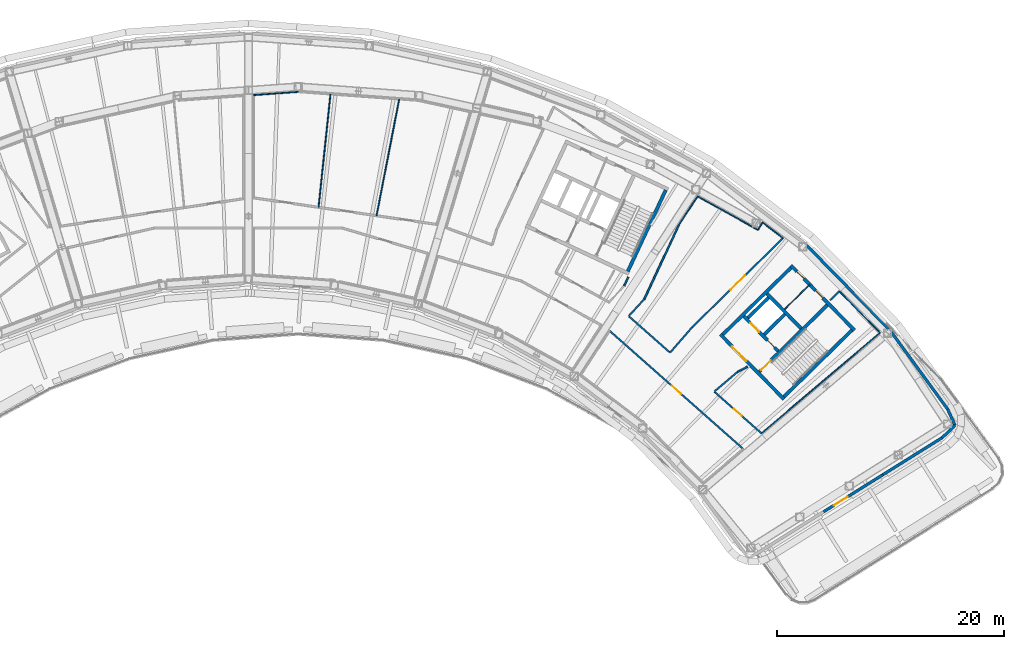
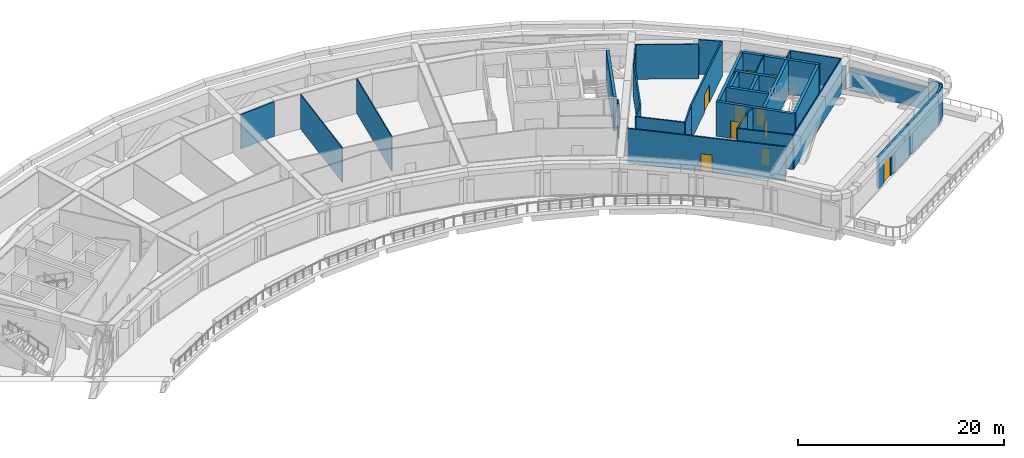
# One storey, part 11 of 26: 37 walls, 10 doors, 10 openings.
"""IFC4 building model written with IfcOpenShell, lengths in metres."""

from ifc_helpers import new_model, si_unit, direction, frame, frame_2d, origin, place, context, subcontext, project, spatial, rectangle, extrude, material, layer, layer_set, type_object, element, fill, save


model = new_model("IFC4")

# Units and contexts
model_context = context("Model", 3, precision=1e-05, world=origin(), true_north=direction((0.0, 1.0)))
body_context = subcontext(model_context, "Body", "Model", "MODEL_VIEW")
ifc_project = project(units=[si_unit("LENGTHUNIT", "METRE"), si_unit("AREAUNIT", "SQUARE_METRE"), si_unit("VOLUMEUNIT", "CUBIC_METRE"), si_unit("PLANEANGLEUNIT", "RADIAN"), si_unit("MASSUNIT", "GRAM", prefix="KILO")], contexts=[model_context])

# Site, building, storey
site_placement = place(None, origin())
site = spatial("IfcSite", under=ifc_project, at=site_placement, CompositionType="ELEMENT")
building_placement = place(site_placement, origin())
building = spatial("IfcBuilding", under=site, at=building_placement, Name="Tuul Gate Civic Tower", CompositionType="ELEMENT")
storey_placement = place(building_placement, frame((0.0, 0.0, 167.60009765625)))
storey = spatial("IfcBuildingStorey", under=building, at=storey_placement, Name="Plant and refuge floor 5", CompositionType="ELEMENT", Elevation=167.60009765625)

# Wall, opening, door
ifc_material_1 = material(Name="Concrete C50/60", Category="concrete")
ifc_layer_1 = layer(ifc_material_1, 0.300048828125)
ifc_layer_set_1 = layer_set([ifc_layer_1], Name="Concrete C50/60")
wall_type_1 = type_object("IfcWallType", Name="Core wall C50/60", PredefinedType="SHEAR", material=ifc_layer_set_1)
wall_1_placement = place(storey_placement, frame((48.22509765625, -18.327880859375, 0.0), z_axis=(0.0, 0.0, 1.0), x_axis=(-0.700021979774, 0.714121297703, 0.0)))
wall_1 = element("IfcWall", 1, at=wall_1_placement, inside=storey, type_object=wall_type_1, Name="Core wall", PredefinedType="SHEAR", context=body_context, shape_type="SweptSolid", body=[
    extrude(rectangle(XDim=8.0, YDim=0.300048828125, at=frame_2d((4.0, 0.0))), origin(), (0.0, 0.0, 1.0), 4.099853515625),
])
opening_1_placement = place(wall_1_placement, frame((4.72509765625, 0.0, 0.0)))
opening_1 = element("IfcOpeningElement", 2, at=opening_1_placement, cuts=wall_1, Name="Opening LB-E1-LOBBY-1", PredefinedType="OPENING", context=body_context, shape_type="SweptSolid", body=[
    extrude(rectangle(XDim=1.800048828125, YDim=2.10009765625, at=frame_2d((0.89990234375, 1.050048828125))), frame((0.0, 0.16015625, 0.0), z_axis=(0.0, -1.0, 0.0), x_axis=(1.0, 0.0, 0.0)), (0.0, 0.0, 1.0), 0.320068359375),
])
ifc_material_2 = material(Name="Steel", Category="steel")
door_type_1 = type_object("IfcDoorType", Name="Lobby door", OperationType="DOUBLE_DOOR_SINGLE_SWING", PredefinedType="DOOR", material=ifc_material_2)
door_1_placement = place(opening_1_placement, frame((1.800048828125, 0.0, 0.0), z_axis=(0.0, 0.0, 1.0), x_axis=(-1.0, 0.0, 0.0)))
door_1 = element("IfcDoor", 3, at=door_1_placement, inside=storey, type_object=door_type_1, Name="Lobby door E1-LOBBY", OperationType="DOUBLE_DOOR_SINGLE_SWING", OverallHeight=2.10009765625, OverallWidth=1.800048828125, PredefinedType="DOOR", context=body_context, shape_type="SweptSolid", body=[
    extrude(rectangle(XDim=1.800048828125, YDim=2.10009765625, at=frame_2d((0.900146484375, 1.050048828125))), frame((0.0, 0.02490234375, 0.0), z_axis=(0.0, -1.0, 0.0), x_axis=(1.0, 0.0, 0.0)), (0.0, 0.0, 1.0), 0.050048828125),
])
fill(opening_1, door_1)

# Wall, openings, doors
wall_2_placement = place(storey_placement, frame((47.701904296875, -14.079833984375, 0.0), z_axis=(0.0, 0.0, 1.0), x_axis=(-0.700002721075, 0.714140175657, 0.0)))
wall_2 = element("IfcWall", 4, at=wall_2_placement, inside=storey, type_object=wall_type_1, Name="Core wall", PredefinedType="SHEAR", context=body_context, shape_type="SweptSolid", body=[
    extrude(rectangle(XDim=4.300048828125, YDim=0.300048828125, at=frame_2d((2.14990234375, 0.0))), origin(), (0.0, 0.0, 1.0), 4.099853515625),
])
opening_2_placement = place(wall_2_placement, frame((0.425048828125, 0.0, 0.0)))
opening_2 = element("IfcOpeningElement", 5, at=opening_2_placement, cuts=wall_2, Name="Opening FB-E1A1", PredefinedType="OPENING", context=body_context, shape_type="SweptSolid", body=[
    extrude(rectangle(XDim=0.89990234375, YDim=2.10009765625, at=frame_2d((0.449951171875, 1.050048828125))), frame((0.0, 0.16015625, 0.0), z_axis=(0.0, -1.0, 0.0), x_axis=(1.0, 0.0, 0.0)), (0.0, 0.0, 1.0), 0.320068359375),
])
opening_3_placement = place(wall_2_placement, frame((2.375, 0.0, 0.0)))
opening_3 = element("IfcOpeningElement", 6, at=opening_3_placement, cuts=wall_2, Name="Opening LD-M3", PredefinedType="OPENING", context=body_context, shape_type="SweptSolid", body=[
    extrude(rectangle(XDim=1.10009765625, YDim=2.10009765625, at=frame_2d((0.550048828125, 1.050048828125))), frame((0.0, 0.16015625, 0.0), z_axis=(0.0, -1.0, 0.0), x_axis=(1.0, 0.0, 0.0)), (0.0, 0.0, 1.0), 0.320068359375),
])
ifc_material_3 = material(Name="Stainless steel", Category="steel")
door_type_2 = type_object("IfcDoorType", Name="Landing door", OperationType="DOUBLE_DOOR_SLIDING", PredefinedType="DOOR", material=ifc_material_3)
door_2_placement = place(opening_3_placement, origin())
door_2 = element("IfcDoor", 7, at=door_2_placement, inside=storey, type_object=door_type_2, Name="Mid-rise lift M3 landing door", OperationType="DOUBLE_DOOR_SLIDING", OverallHeight=2.10009765625, OverallWidth=1.10009765625, PredefinedType="DOOR", context=body_context, shape_type="SweptSolid", body=[
    extrude(rectangle(XDim=1.10009765625, YDim=2.10009765625, at=frame_2d((0.550048828125, 1.050048828125))), frame((0.0, 0.02490234375, 0.0), z_axis=(0.0, -1.0, 0.0), x_axis=(1.0, 0.0, 0.0)), (0.0, 0.0, 1.0), 0.050048828125),
])
fill(opening_3, door_2)
ifc_material_4 = material(Name="Steel", Category="steel")
door_type_3 = type_object("IfcDoorType", Name="Store door", OperationType="NOTDEFINED", PredefinedType="DOOR", material=ifc_material_4)
door_3_placement = place(opening_2_placement, frame((0.89990234375, 0.0, 0.0), z_axis=(0.0, 0.0, 1.0), x_axis=(-1.0, 0.0, 0.0)))
door_3 = element("IfcDoor", 8, at=door_3_placement, inside=storey, type_object=door_type_3, Name="Store door E1A1", OperationType="SINGLE_SWING_RIGHT", OverallHeight=2.10009765625, OverallWidth=0.89990234375, PredefinedType="DOOR", context=body_context, shape_type="SweptSolid", body=[
    extrude(rectangle(XDim=0.89990234375, YDim=2.10009765625, at=frame_2d((0.449951171875, 1.050048828125))), frame((0.0, 0.02490234375, 0.0), z_axis=(0.0, -1.0, 0.0), x_axis=(1.0, 0.0, 0.0)), (0.0, 0.0, 1.0), 0.050048828125),
])
fill(opening_2, door_3)

# Wall
wall_3_placement = place(storey_placement, frame((49.737060546875, -12.0849609375, 0.0), z_axis=(0.0, 0.0, 1.0), x_axis=(-0.700002721075, 0.714140175657, 0.0)))
element("IfcWall", 9, at=wall_3_placement, inside=storey, type_object=wall_type_1, Name="Core wall", PredefinedType="SHEAR", context=body_context, shape_type="SweptSolid", body=[
    extrude(rectangle(XDim=4.300048828125, YDim=0.300048828125, at=frame_2d((2.14990234375, 0.0))), origin(), (0.0, 0.0, 1.0), 4.099853515625),
])

# Wall, openings, doors
wall_4_placement = place(storey_placement, frame((54.43798828125, -12.23779296875, 0.0), z_axis=(0.0, 0.0, 1.0), x_axis=(-0.700021979774, 0.714121297703, 0.0)))
wall_4 = element("IfcWall", 10, at=wall_4_placement, inside=storey, type_object=wall_type_1, Name="Core wall", PredefinedType="SHEAR", context=body_context, shape_type="SweptSolid", body=[
    extrude(rectangle(XDim=8.0, YDim=0.300048828125, at=frame_2d((4.0, 0.0))), origin(), (0.0, 0.0, 1.0), 4.099853515625),
])
opening_4_placement = place(wall_4_placement, frame((3.987548828125, 0.0, 0.0)))
opening_4 = element("IfcOpeningElement", 11, at=opening_4_placement, cuts=wall_4, Name="Opening PB-D29", PredefinedType="OPENING", context=body_context, shape_type="SweptSolid", body=[
    extrude(rectangle(XDim=0.89990234375, YDim=2.10009765625, at=frame_2d((0.449951171875, 1.050048828125))), frame((0.0, 0.16015625, 0.0), z_axis=(0.0, -1.0, 0.0), x_axis=(1.0, 0.0, 0.0)), (0.0, 0.0, 1.0), 0.320068359375),
])
opening_5_placement = place(wall_4_placement, frame((6.362548828125, 0.0, 0.0)))
opening_5 = element("IfcOpeningElement", 12, at=opening_5_placement, cuts=wall_4, Name="Opening PB-D30", PredefinedType="OPENING", context=body_context, shape_type="SweptSolid", body=[
    extrude(rectangle(XDim=0.89990234375, YDim=2.10009765625, at=frame_2d((0.449951171875, 1.050048828125))), frame((0.0, 0.16015625, 0.0), z_axis=(0.0, -1.0, 0.0), x_axis=(1.0, 0.0, 0.0)), (0.0, 0.0, 1.0), 0.320068359375),
])
ifc_material_5 = material(Name="Timber door leaf", Category="wood")
door_type_4 = type_object("IfcDoorType", Name="Door D09", OperationType="NOTDEFINED", PredefinedType="DOOR", material=ifc_material_5)
door_4_placement = place(opening_4_placement, origin())
door_4 = element("IfcDoor", 13, at=door_4_placement, inside=storey, type_object=door_type_4, Name="Door PB-D29", OperationType="SINGLE_SWING_LEFT", OverallHeight=2.10009765625, OverallWidth=0.89990234375, PredefinedType="DOOR", context=body_context, shape_type="SweptSolid", body=[
    extrude(rectangle(XDim=0.89990234375, YDim=2.10009765625, at=frame_2d((0.449951171875, 1.050048828125))), frame((0.0, 0.02490234375, 0.0), z_axis=(0.0, -1.0, 0.0), x_axis=(1.0, 0.0, 0.0)), (0.0, 0.0, 1.0), 0.050048828125),
])
fill(opening_4, door_4)
door_5_placement = place(opening_5_placement, origin())
door_5 = element("IfcDoor", 14, at=door_5_placement, inside=storey, type_object=door_type_4, Name="Door PB-D30", OperationType="SINGLE_SWING_LEFT", OverallHeight=2.10009765625, OverallWidth=0.89990234375, PredefinedType="DOOR", context=body_context, shape_type="SweptSolid", body=[
    extrude(rectangle(XDim=0.89990234375, YDim=2.10009765625, at=frame_2d((0.449951171875, 1.050048828125))), frame((0.0, 0.02490234375, 0.0), z_axis=(0.0, -1.0, 0.0), x_axis=(1.0, 0.0, 0.0)), (0.0, 0.0, 1.0), 0.050048828125),
])
fill(opening_5, door_5)

# Wall
wall_5_placement = place(storey_placement, frame((48.227294921875, -18.115966796875, 0.0), z_axis=(0.0, 0.0, 1.0), x_axis=(0.714105315431, 0.700038283577, 0.0)))
element("IfcWall", 15, at=wall_5_placement, inside=storey, type_object=wall_type_1, Name="Core wall", PredefinedType="SHEAR", context=body_context, shape_type="SweptSolid", body=[
    extrude(rectangle(XDim=8.400146484375, YDim=0.300048828125, at=frame_2d((4.2001953125, 0.0))), origin(), (0.0, 0.0, 1.0), 4.099853515625),
])

# Wall, opening, door
wall_6_placement = place(storey_placement, frame((46.05712890625, -15.902099609375, 0.0), z_axis=(0.0, 0.0, 1.0), x_axis=(0.714134086973, 0.700008932674, 0.0)))
wall_6 = element("IfcWall", 16, at=wall_6_placement, inside=storey, type_object=wall_type_1, Name="Core wall", PredefinedType="SHEAR", context=body_context, shape_type="SweptSolid", body=[
    extrude(rectangle(XDim=8.400146484375, YDim=0.300048828125, at=frame_2d((4.2001953125, 0.0))), origin(), (0.0, 0.0, 1.0), 4.099853515625),
])
opening_6_placement = place(wall_6_placement, frame((0.199951171875, 0.0, 0.0)))
opening_6 = element("IfcOpeningElement", 17, at=opening_6_placement, cuts=wall_6, Name="Opening SD-ST-3", PredefinedType="OPENING", context=body_context, shape_type="SweptSolid", body=[
    extrude(rectangle(XDim=1.199951171875, YDim=2.10009765625, at=frame_2d((0.60009765625, 1.050048828125))), frame((0.0, 0.16015625, 0.0), z_axis=(0.0, -1.0, 0.0), x_axis=(1.0, 0.0, 0.0)), (0.0, 0.0, 1.0), 0.320068359375),
])
ifc_material_6 = material(Name="Steel", Category="steel")
door_type_5 = type_object("IfcDoorType", Name="Stair door", OperationType="NOTDEFINED", PredefinedType="DOOR", material=ifc_material_6)
door_6_placement = place(opening_6_placement, origin())
door_6 = element("IfcDoor", 18, at=door_6_placement, inside=storey, type_object=door_type_5, Name="Stair door ST-3", OperationType="SINGLE_SWING_LEFT", OverallHeight=2.10009765625, OverallWidth=1.199951171875, PredefinedType="DOOR", context=body_context, shape_type="SweptSolid", body=[
    extrude(rectangle(XDim=1.199951171875, YDim=2.10009765625, at=frame_2d((0.60009765625, 1.050048828125))), frame((0.0, 0.02490234375, 0.0), z_axis=(0.0, -1.0, 0.0), x_axis=(1.0, 0.0, 0.0)), (0.0, 0.0, 1.0), 0.050048828125),
])
fill(opening_6, door_6)

# Walls
wall_7_placement = place(storey_placement, frame((46.47900390625, -12.617919921875, 0.0), z_axis=(0.0, 0.0, 1.0), x_axis=(0.71410944159, 0.700034074479, 0.0)))
element("IfcWall", 19, at=wall_7_placement, inside=storey, type_object=wall_type_1, Name="Core wall", PredefinedType="SHEAR", context=body_context, shape_type="SweptSolid", body=[
    extrude(rectangle(XDim=2.5498046875, YDim=0.300048828125, at=frame_2d((1.27490234375, 0.0))), origin(), (0.0, 0.0, 1.0), 4.099853515625),
])
wall_8_placement = place(storey_placement, frame((45.0439453125, -11.154052734375, 0.0), z_axis=(0.0, 0.0, 1.0), x_axis=(0.714108498262, 0.700035036773, 0.0)))
element("IfcWall", 20, at=wall_8_placement, inside=storey, type_object=wall_type_1, Name="Core wall", PredefinedType="SHEAR", context=body_context, shape_type="SweptSolid", body=[
    extrude(rectangle(XDim=2.550048828125, YDim=0.300048828125, at=frame_2d((1.27490234375, 0.0))), origin(), (0.0, 0.0, 1.0), 4.099853515625),
])
wall_9_placement = place(storey_placement, frame((42.837158203125, -12.616943359375, 0.0), z_axis=(0.0, 0.0, 1.0), x_axis=(0.714119844755, 0.700023461983, 0.0)))
element("IfcWall", 21, at=wall_9_placement, inside=storey, type_object=wall_type_1, Name="Core wall", PredefinedType="SHEAR", context=body_context, shape_type="SweptSolid", body=[
    extrude(rectangle(XDim=8.39990234375, YDim=0.300048828125, at=frame_2d((4.199951171875, 0.0))), origin(), (0.0, 0.0, 1.0), 4.099853515625),
])
wall_10_placement = place(storey_placement, frame((34.455810546875, -7.05078125, 0.0), z_axis=(0.0, 0.0, 1.0), x_axis=(0.422570768258, 0.906329932096, 0.0)))
element("IfcWall", 22, at=wall_10_placement, inside=storey, type_object=wall_type_1, Name="Core wall", PredefinedType="SHEAR", context=body_context, shape_type="SweptSolid", body=[
    extrude(rectangle(XDim=7.900146484375, YDim=0.300048828125, at=frame_2d((3.9501953125, 0.0))), origin(), (0.0, 0.0, 1.0), 4.099853515625),
])
ifc_material_7 = material(Name="Gypsum board partition")
ifc_layer_2 = layer(ifc_material_7, 0.14990234375)
ifc_layer_set_2 = layer_set([ifc_layer_2], Name="Gypsum board partition")
wall_type_2 = type_object("IfcWallType", Name="Corridor wall P150", PredefinedType="PARTITIONING", material=ifc_layer_set_2)
wall_11_placement = place(storey_placement, frame((42.093994140625, -17.645751953125, 0.0), z_axis=(0.0, 0.0, 1.0), x_axis=(0.762937730906, 0.646471978326, 0.0)))
element("IfcWall", 23, at=wall_11_placement, inside=storey, type_object=wall_type_2, Name="p023", PredefinedType="PARTITIONING", context=body_context, shape_type="SweptSolid", body=[
    extrude(rectangle(XDim=2.664306640625, YDim=0.14990234375, at=frame_2d((1.33203125, 0.0))), origin(), (0.0, 0.0, 1.0), 4.099853515625),
])
wall_12_placement = place(storey_placement, frame((44.13037109375, -15.9208984375, 0.0), z_axis=(0.0, 0.0, 1.0), x_axis=(0.885592568241, 0.464462918946, 0.0)))
element("IfcWall", 24, at=wall_12_placement, inside=storey, type_object=wall_type_2, Name="p024", PredefinedType="PARTITIONING", context=body_context, shape_type="SweptSolid", body=[
    extrude(rectangle(XDim=0.980224609375, YDim=0.14990234375, at=frame_2d((0.490234375, 0.0))), origin(), (0.0, 0.0, 1.0), 4.099853515625),
])
wall_13_placement = place(storey_placement, frame((52.28125, -9.608642578125, 0.0), z_axis=(0.0, 0.0, 1.0), x_axis=(0.714157847852, 0.699984691512, 0.0)))
element("IfcWall", 25, at=wall_13_placement, inside=storey, type_object=wall_type_2, Name="p025", PredefinedType="PARTITIONING", context=body_context, shape_type="SweptSolid", body=[
    extrude(rectangle(XDim=1.154052734375, YDim=0.14990234375, at=frame_2d((0.5771484375, 0.0))), origin(), (0.0, 0.0, 1.0), 4.099853515625),
])
wall_14_placement = place(storey_placement, frame((34.544189453125, -11.01318359375, 0.0), z_axis=(0.0, 0.0, 1.0), x_axis=(0.74977587568, -0.661691874099, 0.0)))
element("IfcWall", 26, at=wall_14_placement, inside=storey, type_object=wall_type_2, Name="p026", PredefinedType="PARTITIONING", context=body_context, shape_type="SweptSolid", body=[
    extrude(rectangle(XDim=4.828369140625, YDim=0.14990234375, at=frame_2d((2.4140625, 0.0))), origin(), (0.0, 0.0, 1.0), 4.099853515625),
])

# Wall, opening, door
wall_15_placement = place(storey_placement, frame((42.093505859375, -17.67578125, 0.0), z_axis=(0.0, 0.0, 1.0), x_axis=(0.749756712299, -0.661713587863, 0.0)))
wall_15 = element("IfcWall", 27, at=wall_15_placement, inside=storey, type_object=wall_type_2, Name="p027", PredefinedType="PARTITIONING", context=body_context, shape_type="SweptSolid", body=[
    extrude(rectangle(XDim=5.531982421875, YDim=0.14990234375, at=frame_2d((2.76611328125, 0.0))), origin(), (0.0, 0.0, 1.0), 4.099853515625),
])
opening_7_placement = place(wall_15_placement, frame((2.31591796875, 0.0, 0.0)))
opening_7 = element("IfcOpeningElement", 28, at=opening_7_placement, cuts=wall_15, Name="Opening PB-D061", PredefinedType="OPENING", context=body_context, shape_type="SweptSolid", body=[
    extrude(rectangle(XDim=0.89990234375, YDim=2.10009765625, at=frame_2d((0.449951171875, 1.050048828125))), frame((0.0, 0.0849609375, 0.0), z_axis=(0.0, -1.0, 0.0), x_axis=(1.0, 0.0, 0.0)), (0.0, 0.0, 1.0), 0.169921875),
])
door_7_placement = place(opening_7_placement, origin())
door_7 = element("IfcDoor", 29, at=door_7_placement, inside=storey, type_object=door_type_4, Name="Door PB-D06", OperationType="SINGLE_SWING_RIGHT", OverallHeight=2.10009765625, OverallWidth=0.89990234375, PredefinedType="DOOR", context=body_context, shape_type="SweptSolid", body=[
    extrude(rectangle(XDim=0.89990234375, YDim=2.10009765625, at=frame_2d((0.449951171875, 1.050048828125))), frame((0.0, 0.02490234375, 0.0), z_axis=(0.0, -1.0, 0.0), x_axis=(1.0, 0.0, 0.0)), (0.0, 0.0, 1.0), 0.050048828125),
])
fill(opening_7, door_7)

wall_16_placement = place(storey_placement, frame((32.85595703125, -12.302490234375, 0.0), z_axis=(0.0, 0.0, 1.0), x_axis=(0.749312406106, -0.662216670022, 0.0)))
wall_16 = element("IfcWall", 30, at=wall_16_placement, inside=storey, type_object=wall_type_2, Name="p028", PredefinedType="PARTITIONING", context=body_context, shape_type="SweptSolid", body=[
    extrude(rectangle(XDim=15.708740234375, YDim=0.14990234375, at=frame_2d((7.8544921875, 0.0))), origin(), (0.0, 0.0, 1.0), 4.099853515625),
])
opening_8_placement = place(wall_16_placement, frame((7.304443359375, 0.0, 0.0)))
opening_8 = element("IfcOpeningElement", 31, at=opening_8_placement, cuts=wall_16, Name="Opening PB-D07", PredefinedType="OPENING", context=body_context, shape_type="SweptSolid", body=[
    extrude(rectangle(XDim=1.10009765625, YDim=2.10009765625, at=frame_2d((0.550048828125, 1.050048828125))), frame((0.0, 0.0849609375, 0.0), z_axis=(0.0, -1.0, 0.0), x_axis=(1.0, 0.0, 0.0)), (0.0, 0.0, 1.0), 0.169921875),
])
ifc_material_8 = material(Name="Timber door leaf", Category="wood")
door_type_6 = type_object("IfcDoorType", Name="Door D11", OperationType="NOTDEFINED", PredefinedType="DOOR", material=ifc_material_8)
door_8_placement = place(opening_8_placement, frame((1.10009765625, 0.0, 0.0), z_axis=(0.0, 0.0, 1.0), x_axis=(-1.0, 0.0, 0.0)))
door_8 = element("IfcDoor", 32, at=door_8_placement, inside=storey, type_object=door_type_6, Name="Door PB-D07", OperationType="SINGLE_SWING_LEFT", OverallHeight=2.10009765625, OverallWidth=1.10009765625, PredefinedType="DOOR", context=body_context, shape_type="SweptSolid", body=[
    extrude(rectangle(XDim=1.10009765625, YDim=2.10009765625, at=frame_2d((0.550048828125, 1.050048828125))), frame((0.0, 0.02490234375, 0.0), z_axis=(0.0, -1.0, 0.0), x_axis=(1.0, 0.0, 0.0)), (0.0, 0.0, 1.0), 0.050048828125),
])
fill(opening_8, door_8)

# Walls
wall_17_placement = place(storey_placement, frame((38.192626953125, -14.206298828125, 0.0), z_axis=(0.0, 0.0, 1.0), x_axis=(0.65639613255, 0.75441640834, 0.0)))
element("IfcWall", 33, at=wall_17_placement, inside=storey, type_object=wall_type_2, Name="p029", PredefinedType="PARTITIONING", context=body_context, shape_type="SweptSolid", body=[
    extrude(rectangle(XDim=2.946533203125, YDim=0.14990234375, at=frame_2d((1.47314453125, 0.0))), origin(), (0.0, 0.0, 1.0), 4.099853515625),
])
wall_18_placement = place(storey_placement, frame((34.542724609375, -10.984619140625, 0.0), z_axis=(0.0, 0.0, 1.0), x_axis=(0.677224936418, 0.735776043028, 0.0)))
element("IfcWall", 34, at=wall_18_placement, inside=storey, type_object=wall_type_2, Name="p030", PredefinedType="PARTITIONING", context=body_context, shape_type="SweptSolid", body=[
    extrude(rectangle(XDim=2.009765625, YDim=0.14990234375, at=frame_2d((1.0048828125, 0.0))), origin(), (0.0, 0.0, 1.0), 4.099853515625),
])
wall_19_placement = place(storey_placement, frame((35.904296875, -9.505126953125, 0.0), z_axis=(0.0, 0.0, 1.0), x_axis=(0.422589227031, 0.906321325578, 0.0)))
element("IfcWall", 35, at=wall_19_placement, inside=storey, type_object=wall_type_2, Name="p031", PredefinedType="PARTITIONING", context=body_context, shape_type="SweptSolid", body=[
    extrude(rectangle(XDim=7.21923828125, YDim=0.14990234375, at=frame_2d((3.609619140625, 0.0))), origin(), (0.0, 0.0, 1.0), 4.099853515625),
])

# Wall, opening, door
wall_20_placement = place(storey_placement, frame((40.127197265625, -11.98291015625, 0.0), z_axis=(0.0, 0.0, 1.0), x_axis=(0.714133968486, 0.700009053551, 0.0)))
wall_20 = element("IfcWall", 36, at=wall_20_placement, inside=storey, type_object=wall_type_2, Name="p032", PredefinedType="PARTITIONING", context=body_context, shape_type="SweptSolid", body=[
    extrude(rectangle(XDim=11.23486328125, YDim=0.14990234375, at=frame_2d((5.617431640625, 0.0))), origin(), (0.0, 0.0, 1.0), 4.099853515625),
])
opening_9_placement = place(wall_20_placement, frame((4.71728515625, 0.0, 0.0)))
opening_9 = element("IfcOpeningElement", 37, at=opening_9_placement, cuts=wall_20, Name="Opening PB-D081", PredefinedType="OPENING", context=body_context, shape_type="SweptSolid", body=[
    extrude(rectangle(XDim=1.800048828125, YDim=2.10009765625, at=frame_2d((0.89990234375, 1.050048828125))), frame((0.0, 0.0849609375, 0.0), z_axis=(0.0, -1.0, 0.0), x_axis=(1.0, 0.0, 0.0)), (0.0, 0.0, 1.0), 0.169921875),
])
ifc_material_9 = material(Name="Timber door leaf, double", Category="wood")
door_type_7 = type_object("IfcDoorType", Name="Door D18", OperationType="DOUBLE_DOOR_SINGLE_SWING", PredefinedType="DOOR", material=ifc_material_9)
door_9_placement = place(opening_9_placement, origin())
door_9 = element("IfcDoor", 38, at=door_9_placement, inside=storey, type_object=door_type_7, Name="Door PB-D08", OperationType="DOUBLE_DOOR_SINGLE_SWING", OverallHeight=2.10009765625, OverallWidth=1.800048828125, PredefinedType="DOOR", context=body_context, shape_type="SweptSolid", body=[
    extrude(rectangle(XDim=1.800048828125, YDim=2.10009765625, at=frame_2d((0.89990234375, 1.050048828125))), frame((0.0, 0.02490234375, 0.0), z_axis=(0.0, -1.0, 0.0), x_axis=(1.0, 0.0, 0.0)), (0.0, 0.0, 1.0), 0.050048828125),
])
fill(opening_9, door_9)

# Walls
wall_21_placement = place(storey_placement, frame((34.138427734375, -8.322998046875, 0.0), z_axis=(0.0, 0.0, 1.0), x_axis=(0.42255018553, 0.906339528383, 0.0)))
element("IfcWall", 39, at=wall_21_placement, inside=storey, type_object=wall_type_2, Name="p063", PredefinedType="PARTITIONING", context=body_context, shape_type="SweptSolid", body=[
    extrude(rectangle(XDim=0.837158203125, YDim=0.14990234375, at=frame_2d((0.41845703125, 0.0))), origin(), (0.0, 0.0, 1.0), 4.099853515625),
])
ifc_material_10 = material(Name="Precast concrete C40/50", Category="concrete")
ifc_layer_3 = layer(ifc_material_10, 0.25)
ifc_layer_set_3 = layer_set([ifc_layer_3], Name="Precast concrete C40/50")
wall_type_3 = type_object("IfcWallType", Name="External wall", PredefinedType="STANDARD", material=ifc_layer_set_3)
wall_22_placement = place(storey_placement, frame((62.180419921875, -21.725830078125, 0.0), z_axis=(0.0, 0.0, 1.0), x_axis=(0.722159471489, 0.69172660621, 0.0)))
element("IfcWall", 40, at=wall_22_placement, inside=storey, type_object=wall_type_3, Name="External wall", PredefinedType="STANDARD", context=body_context, shape_type="SweptSolid", body=[
    extrude(rectangle(XDim=1.572265625, YDim=0.25, at=frame_2d((0.7861328125, 0.0))), origin(), (0.0, 0.0, 1.0), 3.75),
])
wall_23_placement = place(storey_placement, frame((63.31591796875, -20.63818359375, 0.0), z_axis=(0.0, 0.0, 1.0), x_axis=(-0.413521925612, 0.910494160903, 0.0)))
element("IfcWall", 41, at=wall_23_placement, inside=storey, type_object=wall_type_3, Name="External wall", PredefinedType="STANDARD", context=body_context, shape_type="SweptSolid", body=[
    extrude(rectangle(XDim=1.571044921875, YDim=0.25, at=frame_2d((0.78564453125, 0.0))), origin(), (0.0, 0.0, 1.0), 3.75),
])

# Wall, opening, door
wall_24_placement = place(storey_placement, frame((51.714111328125, -28.2626953125, 0.0), z_axis=(0.0, 0.0, 1.0), x_axis=(0.848053758074, 0.529910203164, 0.0)))
wall_24 = element("IfcWall", 42, at=wall_24_placement, inside=storey, type_object=wall_type_3, Name="External wall", PredefinedType="STANDARD", context=body_context, shape_type="SweptSolid", body=[
    extrude(rectangle(XDim=6.182861328125, YDim=0.25, at=frame_2d((3.09130859375, 0.0))), origin(), (0.0, 0.0, 1.0), 3.75),
])
opening_10_placement = place(wall_24_placement, frame((1.091064453125, 0.0, 0.0)))
opening_10 = element("IfcOpeningElement", 43, at=opening_10_placement, cuts=wall_24, Name="Opening TD", PredefinedType="OPENING", context=body_context, shape_type="SweptSolid", body=[
    extrude(rectangle(XDim=1.39990234375, YDim=2.39990234375, at=frame_2d((0.699951171875, 1.199951171875))), frame((0.0, 0.135009765625, 0.0), z_axis=(0.0, -1.0, 0.0), x_axis=(1.0, 0.0, 0.0)), (0.0, 0.0, 1.0), 0.27001953125),
])
ifc_material_11 = material(Name="Glazed aluminium", Category="aluminium")
door_type_8 = type_object("IfcDoorType", Name="Terrace door", OperationType="DOUBLE_DOOR_SINGLE_SWING", PredefinedType="DOOR", material=ifc_material_11)
door_10_placement = place(opening_10_placement, origin())
door_10 = element("IfcDoor", 44, at=door_10_placement, inside=storey, type_object=door_type_8, Name="Terrace door", OperationType="DOUBLE_DOOR_SINGLE_SWING", OverallHeight=2.39990234375, OverallWidth=1.39990234375, PredefinedType="DOOR", context=body_context, shape_type="SweptSolid", body=[
    extrude(rectangle(XDim=1.39990234375, YDim=2.39990234375, at=frame_2d((0.699951171875, 1.199951171875))), frame((0.0, 0.02490234375, 0.0), z_axis=(0.0, -1.0, 0.0), x_axis=(1.0, 0.0, 0.0)), (0.0, 0.0, 1.0), 0.050048828125),
])
fill(opening_10, door_10)

# Walls
wall_25_placement = place(storey_placement, frame((56.95751953125, -24.986328125, 0.0), z_axis=(0.0, 0.0, 1.0), x_axis=(0.848042669488, 0.529927948619, 0.0)))
element("IfcWall", 45, at=wall_25_placement, inside=storey, type_object=wall_type_3, Name="External wall", PredefinedType="STANDARD", context=body_context, shape_type="SweptSolid", body=[
    extrude(rectangle(XDim=6.1826171875, YDim=0.25, at=frame_2d((3.09130859375, 0.0))), origin(), (0.0, 0.0, 1.0), 3.75),
])
ifc_material_12 = material(Name="Precast concrete C40/50", Category="concrete")
ifc_layer_4 = layer(ifc_material_12, 0.25)
ifc_layer_set_4 = layer_set([ifc_layer_4], Name="Precast concrete C40/50")
wall_type_4 = type_object("IfcWallType", Name="External wall 2700 HIGH", PredefinedType="STANDARD", material=ifc_layer_set_4)
wall_26_placement = place(storey_placement, frame((62.678955078125, -19.229736328125, 0.0), z_axis=(0.0, 0.0, 1.0), x_axis=(-0.589761454052, 0.807577505453, 0.0)))
element("IfcWall", 46, at=wall_26_placement, inside=storey, type_object=wall_type_4, Name="External wall", PredefinedType="STANDARD", context=body_context, shape_type="SweptSolid", body=[
    extrude(rectangle(XDim=8.422119140625, YDim=0.25, at=frame_2d((4.2109375, 0.0))), origin(), (0.0, 0.0, 1.0), 2.699951171875),
])
wall_27_placement = place(storey_placement, frame((57.47412109375, -12.14990234375, 0.0), z_axis=(0.0, 0.0, 1.0), x_axis=(-0.700046146428, 0.714097607384, 0.0)))
element("IfcWall", 47, at=wall_27_placement, inside=storey, type_object=wall_type_4, Name="External wall", PredefinedType="STANDARD", context=body_context, shape_type="SweptSolid", body=[
    extrude(rectangle(XDim=10.337890625, YDim=0.25, at=frame_2d((5.1689453125, 0.0))), origin(), (0.0, 0.0, 1.0), 2.699951171875),
])
ifc_material_13 = material(Name="Gypsum board partition")
ifc_layer_5 = layer(ifc_material_13, 0.10009765625)
ifc_layer_set_5 = layer_set([ifc_layer_5], Name="Gypsum board partition")
wall_type_5 = type_object("IfcWallType", Name="Partition P100", PredefinedType="PARTITIONING", material=ifc_layer_set_5)
wall_28_placement = place(storey_placement, frame((12.291015625, -2.143798828125, 0.0), z_axis=(0.0, 0.0, 1.0), x_axis=(0.190799760817, 0.981628978419, 0.0)))
element("IfcWall", 48, at=wall_28_placement, inside=storey, type_object=wall_type_5, Name="p038", PredefinedType="PARTITIONING", context=body_context, shape_type="SweptSolid", body=[
    extrude(rectangle(XDim=10.470703125, YDim=0.10009765625, at=frame_2d((5.2353515625, 0.0))), origin(), (0.0, 0.0, 1.0), 4.099853515625),
])
wall_29_placement = place(storey_placement, frame((7.1787109375, -1.4013671875, 0.0), z_axis=(0.0, 0.0, 1.0), x_axis=(0.10451753471, 0.994523043945, 0.0)))
element("IfcWall", 49, at=wall_29_placement, inside=storey, type_object=wall_type_5, Name="p040", PredefinedType="PARTITIONING", context=body_context, shape_type="SweptSolid", body=[
    extrude(rectangle(XDim=10.0302734375, YDim=0.10009765625, at=frame_2d((5.01513671875, 0.0))), origin(), (0.0, 0.0, 1.0), 4.099853515625),
])
wall_30_placement = place(storey_placement, frame((53.10546875, -8.80078125, 0.0), z_axis=(0.0, 0.0, 1.0), x_axis=(0.700038626809, -0.71410497896, 0.0)))
element("IfcWall", 50, at=wall_30_placement, inside=storey, type_object=wall_type_5, Name="p072", PredefinedType="PARTITIONING", context=body_context, shape_type="SweptSolid", body=[
    extrude(rectangle(XDim=5.137451171875, YDim=0.10009765625, at=frame_2d((2.56884765625, 0.0))), origin(), (0.0, 0.0, 1.0), 4.099853515625),
])
wall_31_placement = place(storey_placement, frame((56.701904296875, -12.469482421875, 0.0), z_axis=(0.0, 0.0, 1.0), x_axis=(-0.762825495465, -0.646604410339, 0.0)))
element("IfcWall", 51, at=wall_31_placement, inside=storey, type_object=wall_type_5, Name="p073", PredefinedType="PARTITIONING", context=body_context, shape_type="SweptSolid", body=[
    extrude(rectangle(XDim=13.713134765625, YDim=0.10009765625, at=frame_2d((6.8564453125, 0.0))), origin(), (0.0, 0.0, 1.0), 4.099853515625),
])
wall_32_placement = place(storey_placement, frame((38.955078125, -2.962158203125, 0.0), z_axis=(0.0, 0.0, 1.0), x_axis=(0.546712420995, 0.837320445666, 0.0)))
element("IfcWall", 52, at=wall_32_placement, inside=storey, type_object=wall_type_5, Name="p079", PredefinedType="PARTITIONING", context=body_context, shape_type="SweptSolid", body=[
    extrude(rectangle(XDim=3.014404296875, YDim=0.10009765625, at=frame_2d((1.50732421875, 0.0))), origin(), (0.0, 0.0, 1.0), 4.099853515625),
])
wall_33_placement = place(storey_placement, frame((40.60302734375, -0.438232421875, 0.0), z_axis=(0.0, 0.0, 1.0), x_axis=(0.874640840599, -0.484771492516, 0.0)))
element("IfcWall", 53, at=wall_33_placement, inside=storey, type_object=wall_type_5, Name="p080", PredefinedType="PARTITIONING", context=body_context, shape_type="SweptSolid", body=[
    extrude(rectangle(XDim=6.114990234375, YDim=0.10009765625, at=frame_2d((3.0576171875, 0.0))), origin(), (0.0, 0.0, 1.0), 4.099853515625),
])
wall_34_placement = place(storey_placement, frame((46.3251953125, -2.728515625, 0.0), z_axis=(0.0, 0.0, 1.0), x_axis=(0.795585596778, -0.60584119883, 0.0)))
element("IfcWall", 54, at=wall_34_placement, inside=storey, type_object=wall_type_5, Name="p082", PredefinedType="PARTITIONING", context=body_context, shape_type="SweptSolid", body=[
    extrude(rectangle(XDim=2.294189453125, YDim=0.10009765625, at=frame_2d((1.14697265625, 0.0))), origin(), (0.0, 0.0, 1.0), 4.099853515625),
])
wall_35_placement = place(storey_placement, frame((1.43994140625, 8.49560546875, 0.0), z_axis=(0.0, 0.0, 1.0), x_axis=(0.997383373203, 0.072293892261, 0.0)))
element("IfcWall", 55, at=wall_35_placement, inside=storey, type_object=wall_type_5, Name="p096", PredefinedType="PARTITIONING", context=body_context, shape_type="SweptSolid", body=[
    extrude(rectangle(XDim=3.9443359375, YDim=0.10009765625, at=frame_2d((1.97216796875, 0.0))), origin(), (0.0, 0.0, 1.0), 4.099853515625),
])
wall_36_placement = place(storey_placement, frame((48.28662109375, -10.390869140625, 0.0), z_axis=(0.0, 0.0, 1.0), x_axis=(0.714159293908, 0.699983216173, 0.0)))
element("IfcWall", 56, at=wall_36_placement, inside=storey, type_object=wall_type_5, Name="bE1-BAND-0", PredefinedType="PARTITIONING", context=body_context, shape_type="SweptSolid", body=[
    extrude(rectangle(XDim=3.099853515625, YDim=0.10009765625, at=frame_2d((1.5498046875, 0.0))), origin(), (0.0, 0.0, 1.0), 4.099853515625),
])
ifc_material_14 = material(Name="Gypsum board partition")
ifc_layer_6 = layer(ifc_material_14, 0.10009765625)
ifc_layer_set_6 = layer_set([ifc_layer_6], Name="Gypsum board partition")
wall_type_6 = type_object("IfcWallType", Name="Partition P100 3300 HIGH", PredefinedType="PARTITIONING", material=ifc_layer_set_6)
wall_37_placement = place(storey_placement, frame((45.951416015625, -3.402587890625, 0.0), z_axis=(0.0, 0.0, 1.0), x_axis=(0.484943536274, 0.87454546287, 0.0)))
element("IfcWall", 57, at=wall_37_placement, inside=storey, type_object=wall_type_6, Name="p081", PredefinedType="PARTITIONING", context=body_context, shape_type="SweptSolid", body=[
    extrude(rectangle(XDim=0.770751953125, YDim=0.10009765625, at=frame_2d((0.38525390625, 0.0))), origin(), (0.0, 0.0, 1.0), 3.2998046875),
])

save(model, "model.ifc")
